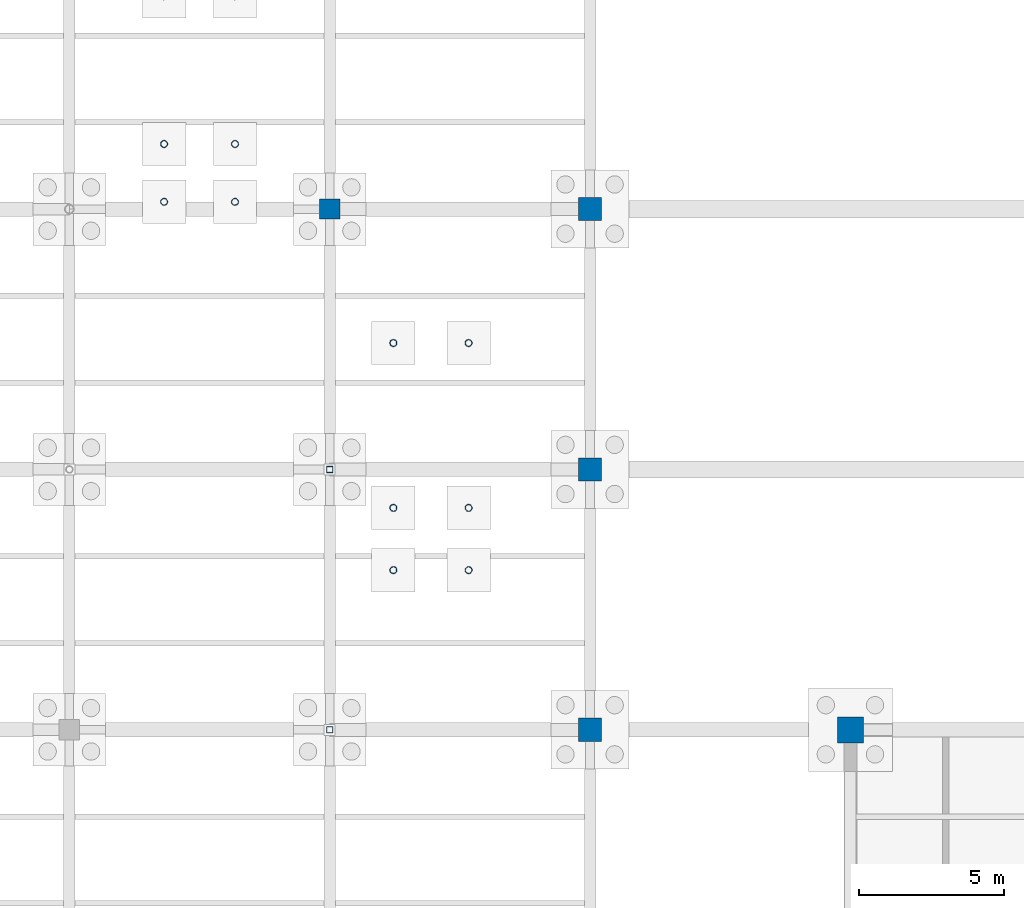
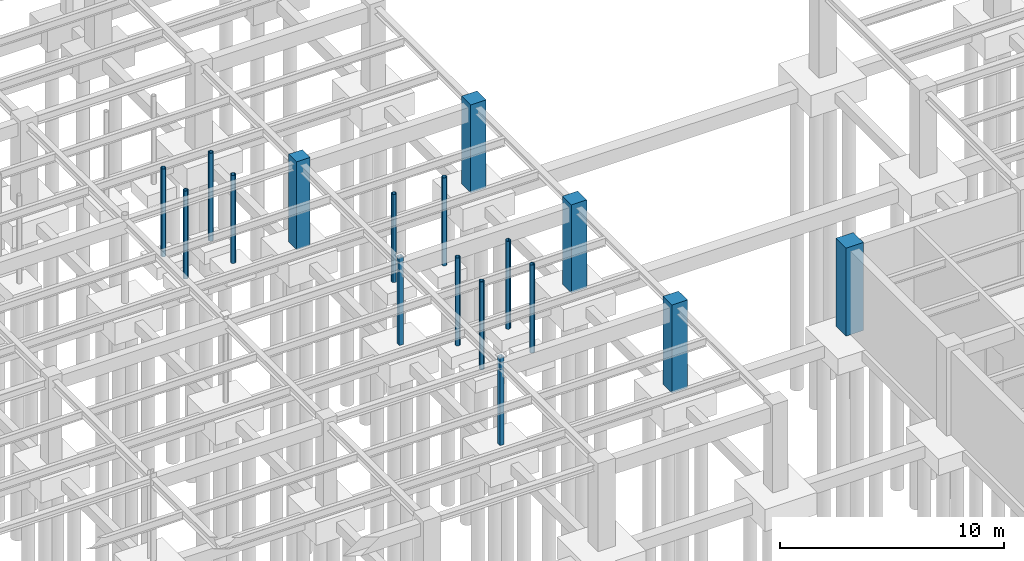
# One storey, part 25 of 49: 17 columns.
"""IFC4 building model written with IfcOpenShell, lengths in metres."""

from ifc_helpers import new_model, si_unit, direction, frame, origin, origin_2d, place, context, subcontext, project, spatial, rectangle, hollow_rectangle, hollow_circle, extrude, material, material_profile, profile_set, type_object, element, save


model = new_model("IFC4")

# Units and contexts
model_context = context("Model", 3, precision=1e-05, world=origin(), true_north=direction((0.0, 1.0)))
body_context = subcontext(model_context, "Body", "Model", "MODEL_VIEW")
ifc_project = project(units=[si_unit("LENGTHUNIT", "METRE"), si_unit("AREAUNIT", "SQUARE_METRE"), si_unit("VOLUMEUNIT", "CUBIC_METRE"), si_unit("PLANEANGLEUNIT", "RADIAN"), si_unit("MASSUNIT", "GRAM", prefix="KILO")], contexts=[model_context])

# Site, building, storey
site_placement = place(None, origin())
site = spatial("IfcSite", under=ifc_project, at=site_placement, CompositionType="ELEMENT")
building_placement = place(site_placement, origin())
building = spatial("IfcBuilding", under=site, at=building_placement, Name="Lykobir Media Centre", CompositionType="ELEMENT")
storey_placement = place(building_placement, frame((0.0, 0.0, -4.800048828125)))
storey = spatial("IfcBuildingStorey", under=building, at=storey_placement, Name="B1", CompositionType="ELEMENT", Elevation=-4.800048828125)

# Columns
ifc_material_1 = material(Name="Concrete C40/50", Category="concrete")
ifc_material_profile_1 = material_profile(ifc_material_1, rectangle(XDim=0.699951171875, YDim=0.699951171875, at=origin_2d()), Name="RC 700x700")
ifc_profile_set_1 = profile_set([ifc_material_profile_1], Name="Concrete C40/50")
column_type_1 = type_object("IfcColumnType", Name="RC-C700", PredefinedType="COLUMN", material=ifc_profile_set_1)
column_1_placement = place(storey_placement, frame((72.0, 90.0, 0.0), z_axis=(0.0, 0.0, 1.0), x_axis=(1.0, 0.0, 0.0)))
element("IfcColumn", 1, at=column_1_placement, inside=storey, type_object=column_type_1, Name="Column COL-B1-0720-0900", PredefinedType="COLUMN", context=body_context, shape_type="SweptSolid", body=[
    extrude(rectangle(XDim=0.699951171875, YDim=0.699951171875, at=origin_2d()), origin(), (0.0, 0.0, 1.0), 4.800048828125),
])
ifc_material_profile_2 = material_profile(ifc_material_1, rectangle(XDim=0.800048828125, YDim=0.800048828125, at=origin_2d()), Name="RC 800x800")
ifc_profile_set_2 = profile_set([ifc_material_profile_2], Name="Concrete C40/50")
column_type_2 = type_object("IfcColumnType", Name="RC-C800-E", PredefinedType="COLUMN", material=ifc_profile_set_2)
for number, where, z_axis, x_axis, name in (
    (2, (81.0, 72.0, 0.0), (0.0, 0.0, 1.0), (1.0, 0.0, 0.0), "Column COL-B1-0810-0720"),
    (3, (81.0, 81.0, 0.0), (0.0, 0.0, 1.0), (1.0, 0.0, 0.0), "Column COL-B1-0810-0810"),
    (4, (81.0, 90.0, 0.0), (0.0, 0.0, 1.0), (1.0, 0.0, 0.0), "Column COL-B1-0810-0900"),
):
    element("IfcColumn", number, at=place(storey_placement, frame(where, z_axis=z_axis, x_axis=x_axis)), inside=storey, type_object=column_type_2, Name=name, PredefinedType="COLUMN", context=body_context, shape_type="SweptSolid", body=[
        extrude(rectangle(XDim=0.800048828125, YDim=0.800048828125, at=origin_2d()), origin(), (0.0, 0.0, 1.0), 4.800048828125),
    ])
ifc_material_profile_3 = material_profile(ifc_material_1, rectangle(XDim=0.89990234375, YDim=0.89990234375, at=origin_2d()), Name="RC 900x900")
ifc_profile_set_3 = profile_set([ifc_material_profile_3], Name="Concrete C40/50")
column_type_3 = type_object("IfcColumnType", Name="RC-C900-E", PredefinedType="COLUMN", material=ifc_profile_set_3)
column_2_placement = place(storey_placement, frame((90.0, 72.0, 0.0), z_axis=(0.0, 0.0, 1.0), x_axis=(1.0, 0.0, 0.0)))
element("IfcColumn", 5, at=column_2_placement, inside=storey, type_object=column_type_3, Name="Column COL-B1-0900-0720", PredefinedType="COLUMN", context=body_context, shape_type="SweptSolid", body=[
    extrude(rectangle(XDim=0.89990234375, YDim=0.89990234375, at=origin_2d()), origin(), (0.0, 0.0, 1.0), 4.800048828125),
])
ifc_material_2 = material(Name="Steel S355", Category="steel")
ifc_material_profile_4 = material_profile(ifc_material_2, hollow_circle(Radius=0.122314453125, WallThickness=0.012451171875, at=origin_2d()), Name="CHS 244.5x12.5")
ifc_profile_set_4 = profile_set([ifc_material_profile_4], Name="Steel S355")
column_type_4 = type_object("IfcColumnType", Name="SC-CHS244", PredefinedType="COLUMN", material=ifc_profile_set_4)
for number, where, z_axis, x_axis, name in (
    (6, (74.199951171875, 77.52001953125, 0.0), (0.0, 0.0, 1.0), (1.0, 0.0, 0.0), "Valley stair column B1 1-742-775"),
    (7, (74.199951171875, 79.669921875, 0.0), (0.0, 0.0, 1.0), (1.0, 0.0, 0.0), "Valley stair column B1 1-742-797"),
    (8, (76.800048828125, 77.52001953125, 0.0), (0.0, 0.0, 1.0), (1.0, 0.0, 0.0), "Valley stair column B1 1-768-775"),
    (9, (76.800048828125, 79.669921875, 0.0), (0.0, 0.0, 1.0), (1.0, 0.0, 0.0), "Valley stair column B1 1-768-797"),
    (10, (74.199951171875, 85.3701171875, 0.0), (0.0, 0.0, 1.0), (1.0, 0.0, 0.0), "Valley arrival column B1 A1-742"),
    (11, (76.800048828125, 85.3701171875, 0.0), (0.0, 0.0, 1.0), (1.0, 0.0, 0.0), "Valley arrival column B1 A1-768"),
    (12, (66.27490234375, 90.25, 0.0), (0.0, 0.0, 1.0), (1.0, 0.0, 0.0), "Valley stair column B1 2-663-902"),
    (13, (66.27490234375, 92.25, 0.0), (0.0, 0.0, 1.0), (1.0, 0.0, 0.0), "Valley stair column B1 2-663-922"),
    (14, (68.72509765625, 90.25, 0.0), (0.0, 0.0, 1.0), (1.0, 0.0, 0.0), "Valley stair column B1 2-687-902"),
    (15, (68.72509765625, 92.25, 0.0), (0.0, 0.0, 1.0), (1.0, 0.0, 0.0), "Valley stair column B1 2-687-922"),
):
    element("IfcColumn", number, at=place(storey_placement, frame(where, z_axis=z_axis, x_axis=x_axis)), inside=storey, type_object=column_type_4, Name=name, PredefinedType="COLUMN", context=body_context, shape_type="SweptSolid", body=[
        extrude(hollow_circle(Radius=0.122314453125, WallThickness=0.012451171875, at=origin_2d()), origin(), (0.0, 0.0, 1.0), 4.800048828125),
    ])
ifc_material_profile_5 = material_profile(ifc_material_2, hollow_rectangle(XDim=0.219970703125, YDim=0.219970703125, WallThickness=0.012451171875, at=origin_2d()), Name="SHS 220x220x12.5")
ifc_profile_set_5 = profile_set([ifc_material_profile_5], Name="Steel S355")
column_type_5 = type_object("IfcColumnType", Name="SC-SHS220", PredefinedType="COLUMN", material=ifc_profile_set_5)
for number, where, z_axis, x_axis, name in (
    (16, (72.0, 72.0, 0.0), (0.0, 0.0, 1.0), (1.0, 0.0, 0.0), "Column COL-B1-0720-0720"),
    (17, (72.0, 81.0, 0.0), (0.0, 0.0, 1.0), (1.0, 0.0, 0.0), "Column COL-B1-0720-0810"),
):
    element("IfcColumn", number, at=place(storey_placement, frame(where, z_axis=z_axis, x_axis=x_axis)), inside=storey, type_object=column_type_5, Name=name, PredefinedType="COLUMN", context=body_context, shape_type="SweptSolid", body=[
        extrude(hollow_rectangle(XDim=0.219970703125, YDim=0.219970703125, WallThickness=0.012451171875, at=origin_2d()), origin(), (0.0, 0.0, 1.0), 4.800048828125),
    ])

save(model, "model.ifc")
